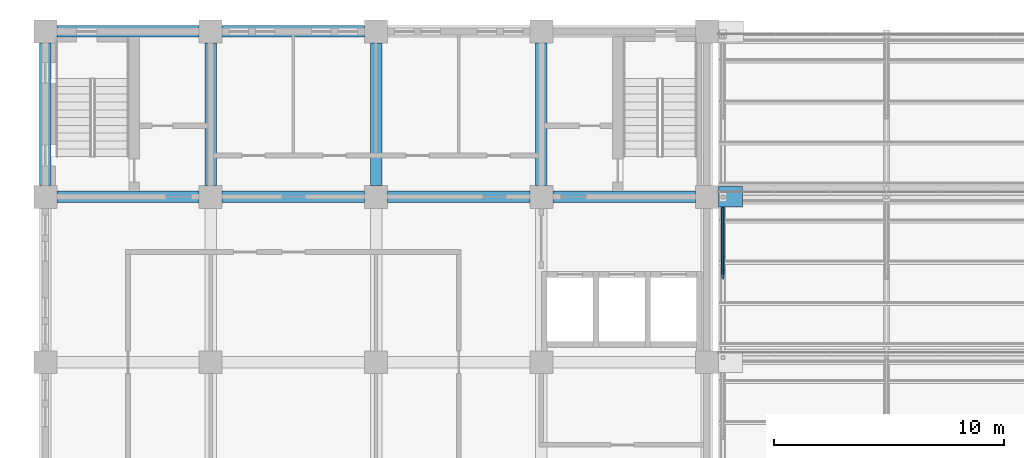
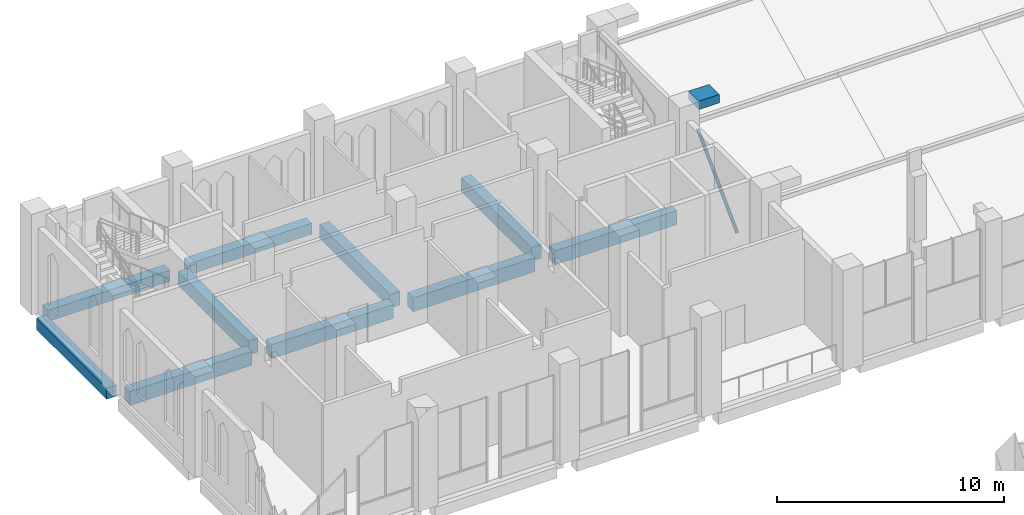
# One storey, part 26 of 83: 10 beams, 2 members.
"""IFC4 building model written with IfcOpenShell, lengths in metres."""

from ifc_helpers import new_model, si_unit, direction, frame, origin, origin_2d, place, context, subcontext, project, spatial, rectangle, hollow_circle, extrude, material, material_profile, profile_set, type_object, element, save


model = new_model("IFC4")

# Units and contexts
model_context = context("Model", 3, precision=1e-05, world=origin(), true_north=direction((0.0, 1.0)))
body_context = subcontext(model_context, "Body", "Model", "MODEL_VIEW")
ifc_project = project(units=[si_unit("LENGTHUNIT", "METRE"), si_unit("AREAUNIT", "SQUARE_METRE"), si_unit("VOLUMEUNIT", "CUBIC_METRE"), si_unit("PLANEANGLEUNIT", "RADIAN"), si_unit("MASSUNIT", "GRAM", prefix="KILO")], contexts=[model_context])

# Site, building, storey
site_placement = place(None, origin())
site = spatial("IfcSite", under=ifc_project, at=site_placement, CompositionType="ELEMENT")
building_placement = place(site_placement, origin())
building = spatial("IfcBuilding", under=site, at=building_placement, Name="Silangan Lancet Faculty of Sciences", CompositionType="ELEMENT")
storey_placement = place(building_placement, frame((0.0, 0.0, 11.39990234375)))
storey = spatial("IfcBuildingStorey", under=building, at=storey_placement, Name="L02", CompositionType="ELEMENT", Elevation=11.39990234375)

# Beams
ifc_material_1 = material(Name="Concrete C40/50", Category="concrete")
ifc_material_profile_1 = material_profile(ifc_material_1, rectangle(XDim=0.5, YDim=0.60009765625, at=origin_2d()), Name="RC 500x600")
ifc_profile_set_1 = profile_set([ifc_material_profile_1], Name="Concrete C40/50")
beam_type_1 = type_object("IfcBeamType", Name="BEAM RC 500x600", PredefinedType="BEAM", material=ifc_profile_set_1)
for number, where, z_axis, x_axis, name in (
    (1, (0.5, 57.60009765625, -0.5498046875), (1.0, 0.0, 0.0), (0.0, 1.0, 0.0), "BM-L02-1I-2I"),
    (2, (7.699951171875, 57.60009765625, -0.5498046875), (1.0, 0.0, 0.0), (0.0, 1.0, 0.0), "BM-L02-2I-3I"),
):
    element("IfcBeam", number, at=place(storey_placement, frame(where, z_axis=z_axis, x_axis=x_axis)), inside=storey, type_object=beam_type_1, Name=name, PredefinedType="BEAM", context=body_context, shape_type="SweptSolid", body=[
        extrude(rectangle(XDim=0.5, YDim=0.60009765625, at=origin_2d()), origin(), (0.0, 0.0, 1.0), 6.199951171875),
    ])
beam_1_placement = place(storey_placement, frame((0.0, 50.89990234375, -0.5498046875), z_axis=(0.0, 1.0, 0.0), x_axis=(-1.0, 0.0, 0.0)))
element("IfcBeam", 3, at=beam_1_placement, inside=storey, type_object=beam_type_1, Name="BM-L02-1H-1I", PredefinedType="BEAM", context=body_context, shape_type="SweptSolid", body=[
    extrude(rectangle(XDim=0.5, YDim=0.60009765625, at=origin_2d()), origin(), (0.0, 0.0, 1.0), 6.2001953125),
])
ifc_material_2 = material(Name="Concrete C40/50", Category="concrete")
ifc_material_profile_2 = material_profile(ifc_material_2, rectangle(XDim=0.5, YDim=0.75, at=origin_2d()), Name="RC 500x750")
ifc_profile_set_2 = profile_set([ifc_material_profile_2], Name="Concrete C40/50")
beam_type_2 = type_object("IfcBeamType", Name="BEAM RC 500x750", PredefinedType="BEAM", material=ifc_profile_set_2)
for number, where, z_axis, x_axis, name in (
    (4, (0.5, 50.39990234375, -0.625), (1.0, 0.0, 0.0), (0.0, 1.0, 0.0), "BM-L02-1H-2H"),
    (5, (7.699951171875, 50.39990234375, -0.625), (1.0, 0.0, 0.0), (0.0, 1.0, 0.0), "BM-L02-2H-3H"),
):
    element("IfcBeam", number, at=place(storey_placement, frame(where, z_axis=z_axis, x_axis=x_axis)), inside=storey, type_object=beam_type_2, Name=name, PredefinedType="BEAM", context=body_context, shape_type="SweptSolid", body=[
        extrude(rectangle(XDim=0.5, YDim=0.75, at=origin_2d()), origin(), (0.0, 0.0, 1.0), 6.199951171875),
    ])
beam_2_placement = place(storey_placement, frame((14.89990234375, 50.39990234375, -0.625), z_axis=(1.0, 0.0, 0.0), x_axis=(0.0, 1.0, 0.0)))
element("IfcBeam", 6, at=beam_2_placement, inside=storey, type_object=beam_type_2, Name="BM-L02-3H-4H", PredefinedType="BEAM", context=body_context, shape_type="SweptSolid", body=[
    extrude(rectangle(XDim=0.5, YDim=0.75, at=origin_2d()), origin(), (0.0, 0.0, 1.0), 6.2001953125),
])
beam_3_placement = place(storey_placement, frame((22.10009765625, 50.39990234375, -0.625), z_axis=(1.0, 0.0, 0.0), x_axis=(0.0, 1.0, 0.0)))
element("IfcBeam", 7, at=beam_3_placement, inside=storey, type_object=beam_type_2, Name="BM-L02-4H-5H", PredefinedType="BEAM", context=body_context, shape_type="SweptSolid", body=[
    extrude(rectangle(XDim=0.5, YDim=0.75, at=origin_2d()), origin(), (0.0, 0.0, 1.0), 6.199951171875),
])
for number, where, z_axis, x_axis, name in (
    (8, (7.199951171875, 50.89990234375, -0.625), (0.0, 1.0, 0.0), (-1.0, 0.0, 0.0), "BM-L02-2H-2I"),
    (9, (14.39990234375, 50.89990234375, -0.625), (0.0, 1.0, 0.0), (-1.0, 0.0, 0.0), "BM-L02-3H-3I"),
    (10, (21.60009765625, 50.89990234375, -0.625), (0.0, 1.0, 0.0), (-1.0, 0.0, 0.0), "BM-L02-4H-4I"),
):
    element("IfcBeam", number, at=place(storey_placement, frame(where, z_axis=z_axis, x_axis=x_axis)), inside=storey, type_object=beam_type_2, Name=name, PredefinedType="BEAM", context=body_context, shape_type="SweptSolid", body=[
        extrude(rectangle(XDim=0.5, YDim=0.75, at=origin_2d()), origin(), (0.0, 0.0, 1.0), 6.2001953125),
    ])

# Members
ifc_material_3 = material(Name="Concrete C40/50 precast", Category="concrete")
ifc_material_profile_3 = material_profile(ifc_material_3, rectangle(XDim=0.89990234375, YDim=0.449951171875, at=origin_2d()), Name="RC 900x450")
ifc_profile_set_3 = profile_set([ifc_material_profile_3], Name="Concrete C40/50 precast")
member_type_1 = type_object("IfcMemberType", Name="KC4 Buttress corbel 900x450", PredefinedType="USERDEFINED", material=ifc_profile_set_3)
member_1_placement = place(storey_placement, frame((29.300048828125, 50.39990234375, 5.175048828125), z_axis=(1.0, 0.0, 0.0), x_axis=(0.0, 1.0, 0.0)))
element("IfcMember", 11, at=member_1_placement, inside=storey, type_object=member_type_1, Name="CORBEL-FINC-E-NT-03", ObjectType="CORBEL", PredefinedType="USERDEFINED", context=body_context, shape_type="SweptSolid", body=[
    extrude(rectangle(XDim=0.89990234375, YDim=0.449951171875, at=origin_2d()), origin(), (0.0, 0.0, 1.0), 1.050048828125),
])
ifc_material_4 = material(Name="Steel STK400", Category="steel")
ifc_material_profile_4 = material_profile(ifc_material_4, hollow_circle(Radius=0.08251953125, WallThickness=0.0048828125, at=origin_2d()), Name="CHS 165.2x5.0")
ifc_profile_set_4 = profile_set([ifc_material_profile_4], Name="Steel STK400")
member_type_2 = type_object("IfcMemberType", Name="Truss diagonal CHS 165.2x5.0", PredefinedType="BRACE", material=ifc_profile_set_4)
member_2_placement = place(storey_placement, frame((29.5, 46.8974609375, 0.09521484375), z_axis=(0.0, 0.707106781187, 0.707106781187), x_axis=(-1.0, 0.0, 0.0)))
element("IfcMember", 12, at=member_2_placement, inside=storey, type_object=member_type_2, Name="Truss 1 diagonal 2", PredefinedType="BRACE", context=body_context, shape_type="SweptSolid", body=[
    extrude(hollow_circle(Radius=0.08251953125, WallThickness=0.0048828125, at=origin_2d()), origin(), (0.0, 0.0, 1.0), 4.9365234375),
])

save(model, "model.ifc")
